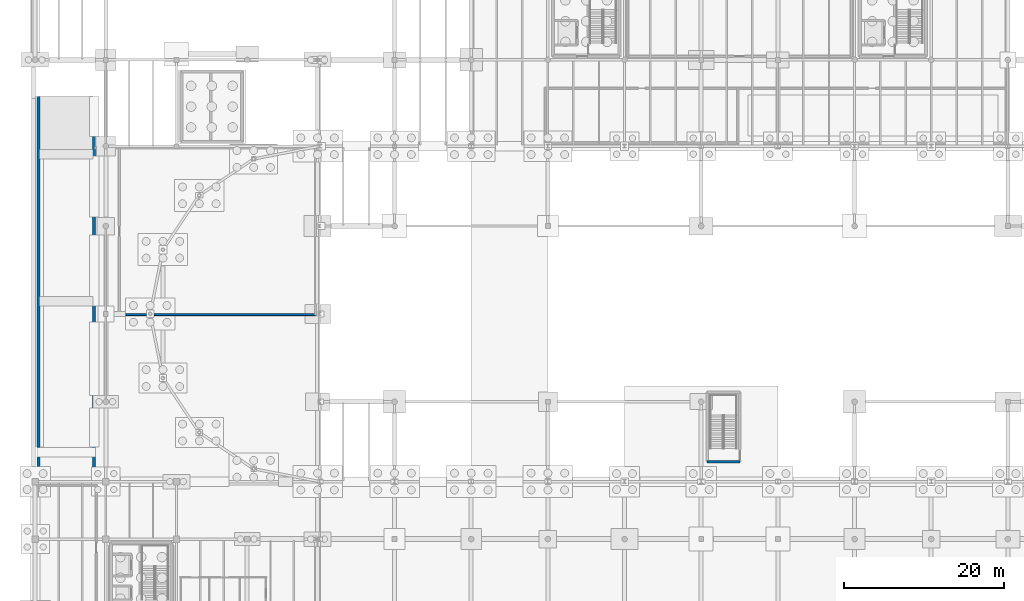
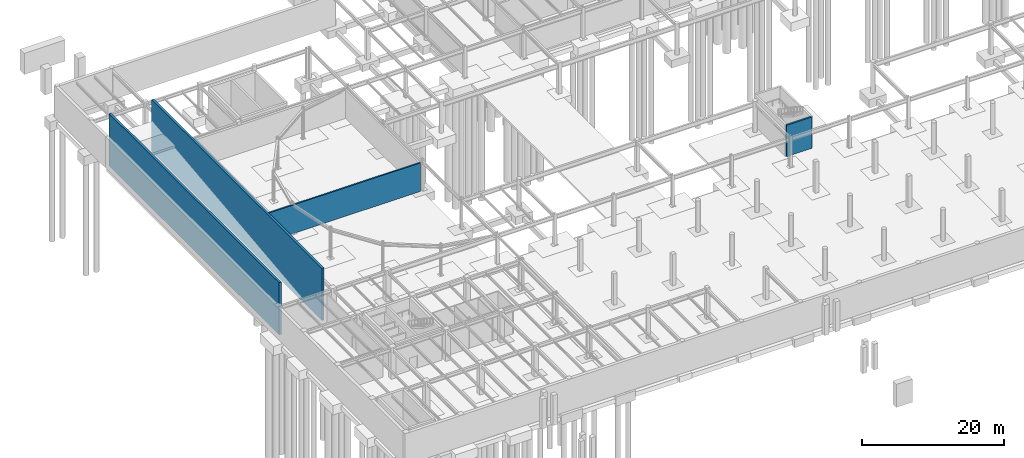
# One storey, part 42 of 50: 4 walls.
"""IFC4 building model written with IfcOpenShell, lengths in metres."""

from ifc_helpers import new_model, si_unit, direction, frame, frame_2d, origin, place, context, subcontext, project, spatial, rectangle, extrude, material, layer, layer_set, type_object, element, save


model = new_model("IFC4")

# Units and contexts
model_context = context("Model", 3, precision=1e-05, world=origin(), true_north=direction((0.0, 1.0)))
body_context = subcontext(model_context, "Body", "Model", "MODEL_VIEW")
ifc_project = project(units=[si_unit("LENGTHUNIT", "METRE"), si_unit("AREAUNIT", "SQUARE_METRE"), si_unit("VOLUMEUNIT", "CUBIC_METRE"), si_unit("PLANEANGLEUNIT", "RADIAN"), si_unit("MASSUNIT", "GRAM", prefix="KILO")], contexts=[model_context])

# Site, building, storey
site_placement = place(None, origin())
site = spatial("IfcSite", under=ifc_project, at=site_placement, CompositionType="ELEMENT")
building_placement = place(site_placement, origin())
building = spatial("IfcBuilding", under=site, at=building_placement, Name="Yeouljin Market Hall", CompositionType="ELEMENT")
storey_placement = place(building_placement, frame((0.0, 0.0, -5.39990234375)))
storey = spatial("IfcBuildingStorey", under=building, at=storey_placement, Name="B1", CompositionType="ELEMENT", Elevation=-5.39990234375)

# Walls
ifc_material_1 = material(Name="Insulated Cold-Store Panel Assembly")
ifc_layer_1 = layer(ifc_material_1, 0.239990234375)
ifc_layer_set_1 = layer_set([ifc_layer_1], Name="Insulated Cold-Store Panel Assembly")
wall_type_1 = type_object("IfcWallType", Name="Part_ColdStore_240", PredefinedType="PARTITIONING", material=ifc_layer_set_1)
wall_1_placement = place(storey_placement, frame((10.469970703125, 56.89990234375, 0.0), z_axis=(0.0, 0.0, 1.0), x_axis=(1.0, 0.0, 0.0)))
element("IfcWall", 1, at=wall_1_placement, inside=storey, type_object=wall_type_1, Name="Interior partition PART-B1-0021", PredefinedType="PARTITIONING", context=body_context, shape_type="SweptSolid", body=[
    extrude(rectangle(XDim=24.7099609375, YDim=0.239990234375, at=frame_2d((12.35498046875, 0.0))), origin(), (0.0, 0.0, 1.0), 4.919921875),
])
ifc_material_2 = material(Name="Concrete C35/45", Category="concrete")
ifc_layer_2 = layer(ifc_material_2, 0.360107421875)
ifc_layer_set_2 = layer_set([ifc_layer_2], Name="Concrete C35/45")
wall_type_2 = type_object("IfcWallType", Name="Wall_Retaining_RC360", PredefinedType="USERDEFINED", material=ifc_layer_set_2)
for number, where, z_axis, x_axis, name in (
    (2, (0.419921875, 36.199951171875, 0.0), (0.0, 0.0, 1.0), (0.0, 1.0, 0.0), "Exterior wall WE-RAMP-WEST"),
    (3, (7.3798828125, 84.199951171875, 0.0), (0.0, 0.0, 1.0), (0.0, -1.0, 0.0), "Exterior wall WE-RAMP-EAST"),
):
    element("IfcWall", number, at=place(storey_placement, frame(where, z_axis=z_axis, x_axis=x_axis)), inside=storey, type_object=wall_type_2, Name=name, ObjectType="RETAININGWALL", PredefinedType="USERDEFINED", context=body_context, shape_type="SweptSolid", body=[
        extrude(rectangle(XDim=48.0, YDim=0.360107421875, at=frame_2d((24.0, 0.0))), origin(), (0.0, 0.0, 1.0), 9.0),
    ])
ifc_material_3 = material(Name="Concrete C35/45", Category="concrete")
ifc_layer_3 = layer(ifc_material_3, 0.300048828125)
ifc_layer_set_3 = layer_set([ifc_layer_3], Name="Concrete C35/45")
wall_type_3 = type_object("IfcWallType", Name="Wall_ShaftShear_300", PredefinedType="SHEAR", material=ifc_layer_set_3)
wall_2_placement = place(storey_placement, frame((84.14990234375, 38.5, 0.0), z_axis=(0.0, 0.0, 1.0), x_axis=(1.0, 0.0, 0.0)))
element("IfcWall", 4, at=wall_2_placement, inside=storey, type_object=wall_type_3, Name="Core S9 south shear wall (B1)", PredefinedType="SHEAR", context=body_context, shape_type="SweptSolid", body=[
    extrude(rectangle(XDim=4.10009765625, YDim=0.300048828125, at=frame_2d((2.050048828125, 0.0))), origin(), (0.0, 0.0, 1.0), 5.39990234375),
])

save(model, "model.ifc")
